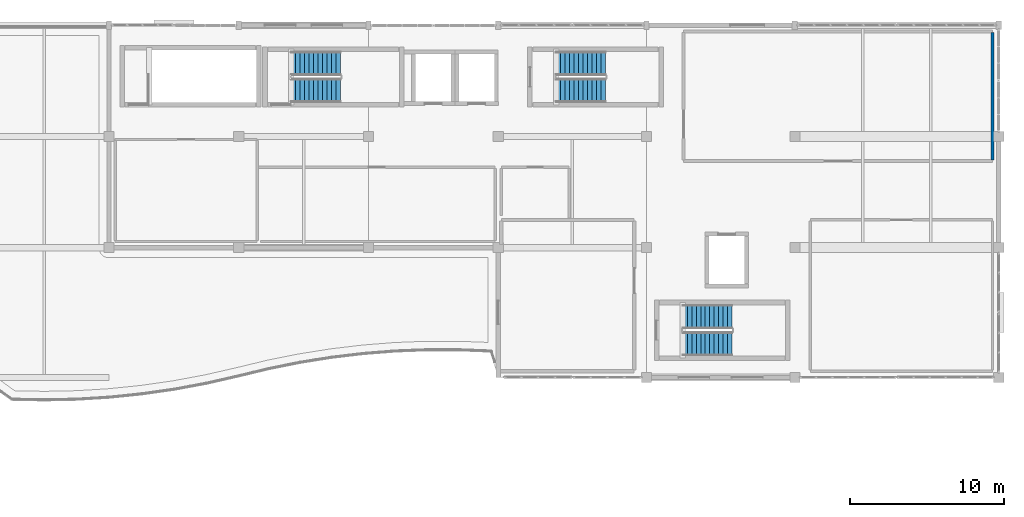
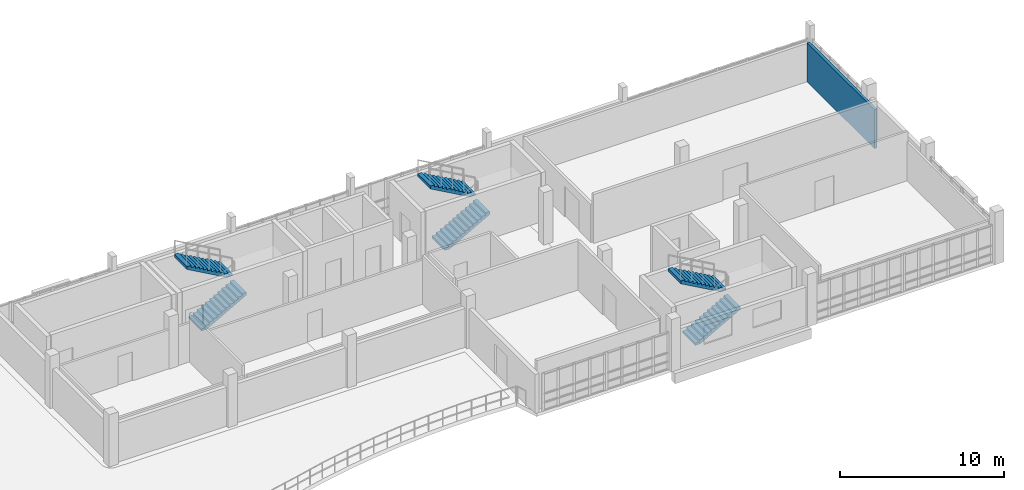
# One storey, part 22 of 25: 6 stair flights, 1 wall, 3 elements without a shape of their own.
"""IFC4 building model written with IfcOpenShell, lengths in metres."""

from ifc_helpers import new_model, si_unit, direction, frame, frame_2d, origin, place, context, subcontext, project, spatial, polyline, rectangle, outline, extrude, material, layer, layer_set, type_object, element, aggregate, save


model = new_model("IFC4")

# Units and contexts
model_context = context("Model", 3, precision=1e-05, world=origin(), true_north=direction((0.0, 1.0)))
body_context = subcontext(model_context, "Body", "Model", "MODEL_VIEW")
ifc_project = project(units=[si_unit("LENGTHUNIT", "METRE"), si_unit("AREAUNIT", "SQUARE_METRE"), si_unit("VOLUMEUNIT", "CUBIC_METRE"), si_unit("PLANEANGLEUNIT", "RADIAN"), si_unit("MASSUNIT", "GRAM", prefix="KILO")], contexts=[model_context])

# Site, building, storey
site_placement = place(None, origin())
site = spatial("IfcSite", under=ifc_project, at=site_placement, CompositionType="ELEMENT")
building_placement = place(site_placement, origin())
building = spatial("IfcBuilding", under=site, at=building_placement, Name="Kisaragi Civic Commons", CompositionType="ELEMENT")
storey_placement = place(building_placement, frame((0.0, 0.0, 13.5)))
storey = spatial("IfcBuildingStorey", under=building, at=storey_placement, Name="L03", CompositionType="ELEMENT", Elevation=13.5)

# Wall
ifc_material_1 = material(Name="Fire-rated double gypsum board on steel studs with mineral wool", Category="steel")
ifc_layer = layer(ifc_material_1, 0.199951171875, Name="Fire-rated double gypsum board on steel studs with mineral wool", Category="steel")
ifc_layer_set = layer_set([ifc_layer], Name="Fire-rated double gypsum board on steel studs with mineral wool")
wall_type = type_object("IfcWallType", Name="FW-01", PredefinedType="STANDARD", material=ifc_layer_set)
wall_placement = place(storey_placement, frame((146.0, 118.324951171875, 0.0), z_axis=(0.0, 0.0, 1.0), x_axis=(0.0, -1.0, 0.0)))
element("IfcWall", 1, at=wall_placement, inside=storey, type_object=wall_type, Name="L03 W3-02 partition FW-01 331", PredefinedType="STANDARD", context=body_context, shape_type="SweptSolid", body=[
    extrude(rectangle(XDim=8.25, YDim=0.199951171875, at=frame_2d((4.125, 0.0))), origin(), (0.0, 0.0, 1.0), 2.905029296875),
])

# Stair, stair flights
ifc_material_2 = material(Name="Concrete Fc30", Category="concrete")
stair_type = type_object("IfcStairType", Name="ST-A", PredefinedType="HALF_TURN_STAIR", material=ifc_material_2)
stair_1_placement = place(storey_placement, origin())
stair_1 = element("IfcStair", 2, at=stair_1_placement, inside=storey, type_object=stair_type, Name="L03 Stair ST-L1", PredefinedType="HALF_TURN_STAIR")
stair_flight_type = type_object("IfcStairFlightType", Name="STF-A", PredefinedType="STRAIGHT", material=ifc_material_2)
stair_flight_1_placement = place(storey_placement, frame((100.60009765625, 114.574951171875, 0.0), z_axis=(0.0, 0.0, 1.0), x_axis=(1.0, 0.0, 0.0)))
stair_flight_1 = element("IfcStairFlight", 3, at=stair_flight_1_placement, type_object=stair_flight_type, Name="ST-L1 flight 1", NumberOfRisers=12, NumberOfTreads=11, PredefinedType="STRAIGHT", RiserHeight=0.1625, TreadLength=0.29, context=body_context, shape_type="SweptSolid", body=[
    extrude(outline(polyline([(0.0, 0.0), (0.0, 0.16259765625), (0.2900390625, 0.16259765625), (0.2900390625, 0.324951171875), (0.580078125, 0.324951171875), (0.580078125, 0.487548828125), (0.8701171875, 0.487548828125), (0.8701171875, 0.64990234375), (1.159912109375, 0.64990234375), (1.159912109375, 0.8125), (1.449951171875, 0.8125), (1.449951171875, 0.97509765625), (1.739990234375, 0.97509765625), (1.739990234375, 1.137451171875), (2.030029296875, 1.137451171875), (2.030029296875, 1.300048828125), (2.320068359375, 1.300048828125), (2.320068359375, 1.46240234375), (2.610107421875, 1.46240234375), (2.610107421875, 1.625), (2.89990234375, 1.625), (2.89990234375, 1.78759765625), (3.18994140625, 1.78759765625), (3.18994140625, 1.949951171875), (3.18994140625, 1.581298828125), (0.3681640625, 0.0), (0.0, 0.0)])), frame((0.0, 0.77490234375, 0.0), z_axis=(0.0, -1.0, 0.0), x_axis=(1.0, 0.0, 0.0)), (0.0, 0.0, 1.0), 1.550048828125),
])
stair_flight_2_placement = place(storey_placement, frame((103.7900390625, 116.324951171875, 1.949951171875), z_axis=(0.0, 0.0, 1.0), x_axis=(-1.0, 0.0, 0.0)))
stair_flight_2 = element("IfcStairFlight", 4, at=stair_flight_2_placement, type_object=stair_flight_type, Name="ST-L1 flight 2", NumberOfRisers=12, NumberOfTreads=11, PredefinedType="STRAIGHT", RiserHeight=0.1625, TreadLength=0.29, context=body_context, shape_type="SweptSolid", body=[
    extrude(outline(polyline([(0.0, 0.0), (0.0, 0.16259765625), (0.2900390625, 0.16259765625), (0.2900390625, 0.324951171875), (0.580078125, 0.324951171875), (0.580078125, 0.487548828125), (0.8701171875, 0.487548828125), (0.8701171875, 0.64990234375), (1.159912109375, 0.64990234375), (1.159912109375, 0.8125), (1.449951171875, 0.8125), (1.449951171875, 0.97509765625), (1.739990234375, 0.97509765625), (1.739990234375, 1.137451171875), (2.030029296875, 1.137451171875), (2.030029296875, 1.300048828125), (2.320068359375, 1.300048828125), (2.320068359375, 1.46240234375), (2.610107421875, 1.46240234375), (2.610107421875, 1.625), (2.89990234375, 1.625), (2.89990234375, 1.78759765625), (3.18994140625, 1.78759765625), (3.18994140625, 1.949951171875), (3.18994140625, 1.581298828125), (0.3681640625, 0.0), (0.0, 0.0)])), frame((0.0, 0.77490234375, 0.0), z_axis=(0.0, -1.0, 0.0), x_axis=(1.0, 0.0, 0.0)), (0.0, 0.0, 1.0), 1.550048828125),
])
aggregate(stair_1, [stair_flight_1, stair_flight_2])

stair_2_placement = place(storey_placement, origin())
stair_2 = element("IfcStair", 5, at=stair_2_placement, inside=storey, type_object=stair_type, Name="L03 Stair ST-L2", PredefinedType="HALF_TURN_STAIR")
stair_flight_3_placement = place(storey_placement, frame((117.75, 114.574951171875, 0.0), z_axis=(0.0, 0.0, 1.0), x_axis=(1.0, 0.0, 0.0)))
stair_flight_3 = element("IfcStairFlight", 6, at=stair_flight_3_placement, type_object=stair_flight_type, Name="ST-L2 flight 1", NumberOfRisers=12, NumberOfTreads=11, PredefinedType="STRAIGHT", RiserHeight=0.1625, TreadLength=0.29, context=body_context, shape_type="SweptSolid", body=[
    extrude(outline(polyline([(0.0, 0.0), (0.0, 0.16259765625), (0.2900390625, 0.16259765625), (0.2900390625, 0.324951171875), (0.580078125, 0.324951171875), (0.580078125, 0.487548828125), (0.8701171875, 0.487548828125), (0.8701171875, 0.64990234375), (1.159912109375, 0.64990234375), (1.159912109375, 0.8125), (1.449951171875, 0.8125), (1.449951171875, 0.97509765625), (1.739990234375, 0.97509765625), (1.739990234375, 1.137451171875), (2.030029296875, 1.137451171875), (2.030029296875, 1.300048828125), (2.320068359375, 1.300048828125), (2.320068359375, 1.46240234375), (2.610107421875, 1.46240234375), (2.610107421875, 1.625), (2.89990234375, 1.625), (2.89990234375, 1.78759765625), (3.18994140625, 1.78759765625), (3.18994140625, 1.949951171875), (3.18994140625, 1.581298828125), (0.3681640625, 0.0), (0.0, 0.0)])), frame((0.0, 0.77490234375, 0.0), z_axis=(0.0, -1.0, 0.0), x_axis=(1.0, 0.0, 0.0)), (0.0, 0.0, 1.0), 1.550048828125),
])
stair_flight_4_placement = place(storey_placement, frame((120.93994140625, 116.324951171875, 1.949951171875), z_axis=(0.0, 0.0, 1.0), x_axis=(-1.0, 0.0, 0.0)))
stair_flight_4 = element("IfcStairFlight", 7, at=stair_flight_4_placement, type_object=stair_flight_type, Name="ST-L2 flight 2", NumberOfRisers=12, NumberOfTreads=11, PredefinedType="STRAIGHT", RiserHeight=0.1625, TreadLength=0.29, context=body_context, shape_type="SweptSolid", body=[
    extrude(outline(polyline([(0.0, 0.0), (0.0, 0.16259765625), (0.2900390625, 0.16259765625), (0.2900390625, 0.324951171875), (0.580078125, 0.324951171875), (0.580078125, 0.487548828125), (0.8701171875, 0.487548828125), (0.8701171875, 0.64990234375), (1.159912109375, 0.64990234375), (1.159912109375, 0.8125), (1.449951171875, 0.8125), (1.449951171875, 0.97509765625), (1.739990234375, 0.97509765625), (1.739990234375, 1.137451171875), (2.030029296875, 1.137451171875), (2.030029296875, 1.300048828125), (2.320068359375, 1.300048828125), (2.320068359375, 1.46240234375), (2.610107421875, 1.46240234375), (2.610107421875, 1.625), (2.89990234375, 1.625), (2.89990234375, 1.78759765625), (3.18994140625, 1.78759765625), (3.18994140625, 1.949951171875), (3.18994140625, 1.581298828125), (0.3681640625, 0.0), (0.0, 0.0)])), frame((0.0, 0.77490234375, 0.0), z_axis=(0.0, -1.0, 0.0), x_axis=(1.0, 0.0, 0.0)), (0.0, 0.0, 1.0), 1.550048828125),
])
aggregate(stair_2, [stair_flight_3, stair_flight_4])

stair_3_placement = place(storey_placement, origin())
stair_3 = element("IfcStair", 8, at=stair_3_placement, inside=storey, type_object=stair_type, Name="L03 Stair ST-L3", PredefinedType="HALF_TURN_STAIR")
stair_flight_5_placement = place(storey_placement, frame((125.949951171875, 98.175048828125, 0.0), z_axis=(0.0, 0.0, 1.0), x_axis=(1.0, 0.0, 0.0)))
stair_flight_5 = element("IfcStairFlight", 9, at=stair_flight_5_placement, type_object=stair_flight_type, Name="ST-L3 flight 1", NumberOfRisers=12, NumberOfTreads=11, PredefinedType="STRAIGHT", RiserHeight=0.1625, TreadLength=0.29, context=body_context, shape_type="SweptSolid", body=[
    extrude(outline(polyline([(0.0, 0.0), (0.0, 0.16259765625), (0.2900390625, 0.16259765625), (0.2900390625, 0.324951171875), (0.580078125, 0.324951171875), (0.580078125, 0.487548828125), (0.8701171875, 0.487548828125), (0.8701171875, 0.64990234375), (1.159912109375, 0.64990234375), (1.159912109375, 0.8125), (1.449951171875, 0.8125), (1.449951171875, 0.97509765625), (1.739990234375, 0.97509765625), (1.739990234375, 1.137451171875), (2.030029296875, 1.137451171875), (2.030029296875, 1.300048828125), (2.320068359375, 1.300048828125), (2.320068359375, 1.46240234375), (2.610107421875, 1.46240234375), (2.610107421875, 1.625), (2.89990234375, 1.625), (2.89990234375, 1.78759765625), (3.18994140625, 1.78759765625), (3.18994140625, 1.949951171875), (3.18994140625, 1.581298828125), (0.3681640625, 0.0), (0.0, 0.0)])), frame((0.0, 0.77490234375, 0.0), z_axis=(0.0, -1.0, 0.0), x_axis=(1.0, 0.0, 0.0)), (0.0, 0.0, 1.0), 1.550048828125),
])
stair_flight_6_placement = place(storey_placement, frame((129.139892578125, 99.925048828125, 1.949951171875), z_axis=(0.0, 0.0, 1.0), x_axis=(-1.0, 0.0, 0.0)))
stair_flight_6 = element("IfcStairFlight", 10, at=stair_flight_6_placement, type_object=stair_flight_type, Name="ST-L3 flight 2", NumberOfRisers=12, NumberOfTreads=11, PredefinedType="STRAIGHT", RiserHeight=0.1625, TreadLength=0.29, context=body_context, shape_type="SweptSolid", body=[
    extrude(outline(polyline([(0.0, 0.0), (0.0, 0.16259765625), (0.2900390625, 0.16259765625), (0.2900390625, 0.324951171875), (0.580078125, 0.324951171875), (0.580078125, 0.487548828125), (0.8701171875, 0.487548828125), (0.8701171875, 0.64990234375), (1.159912109375, 0.64990234375), (1.159912109375, 0.8125), (1.449951171875, 0.8125), (1.449951171875, 0.97509765625), (1.739990234375, 0.97509765625), (1.739990234375, 1.137451171875), (2.030029296875, 1.137451171875), (2.030029296875, 1.300048828125), (2.320068359375, 1.300048828125), (2.320068359375, 1.46240234375), (2.610107421875, 1.46240234375), (2.610107421875, 1.625), (2.89990234375, 1.625), (2.89990234375, 1.78759765625), (3.18994140625, 1.78759765625), (3.18994140625, 1.949951171875), (3.18994140625, 1.581298828125), (0.3681640625, 0.0), (0.0, 0.0)])), frame((0.0, 0.77490234375, 0.0), z_axis=(0.0, -1.0, 0.0), x_axis=(1.0, 0.0, 0.0)), (0.0, 0.0, 1.0), 1.550048828125),
])
aggregate(stair_3, [stair_flight_5, stair_flight_6])

save(model, "model.ifc")
